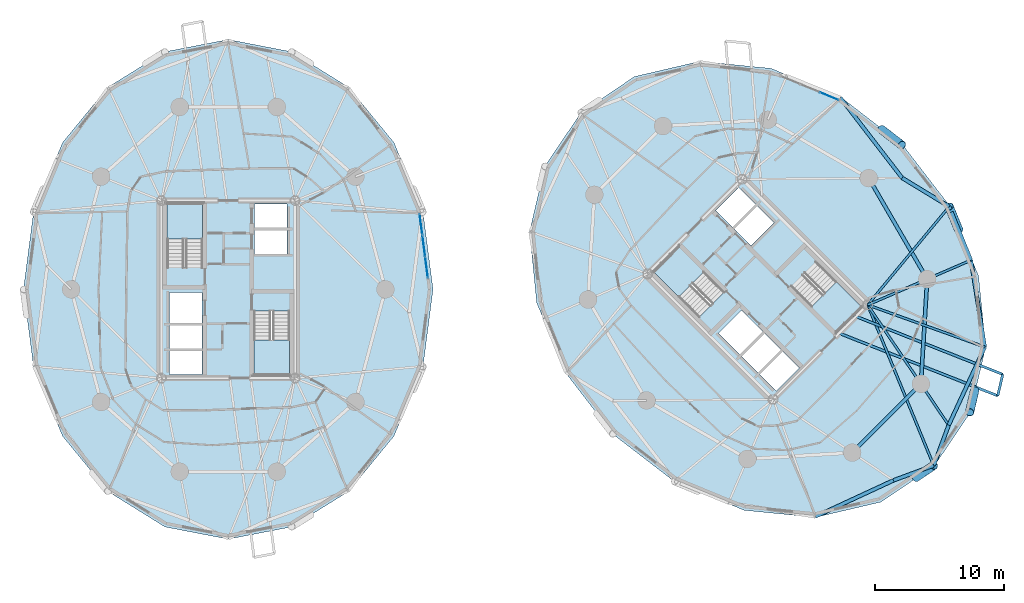
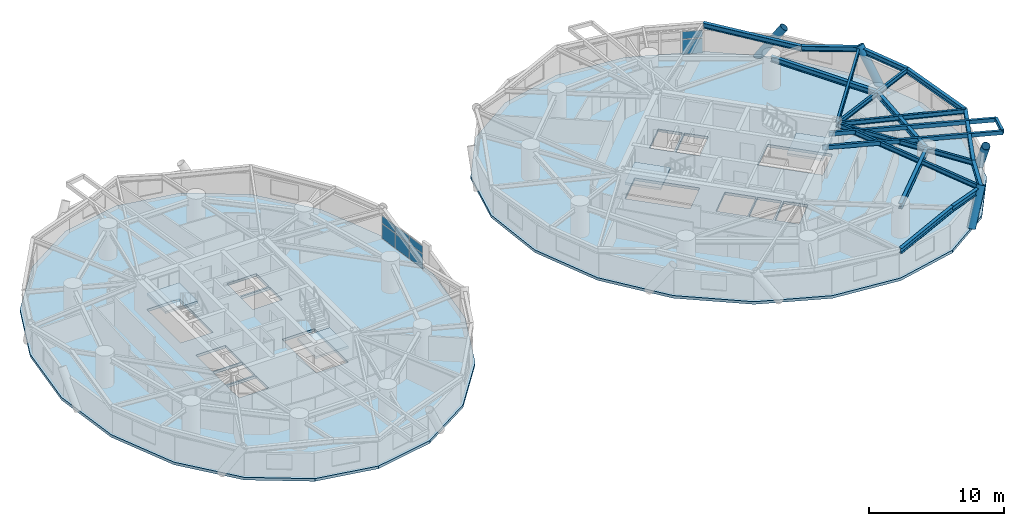
# One storey, part 8 of 17: 19 beams, 8 plates, 6 slabs, 4 members, 6 elements without a shape of their own.
"""IFC4 building model written with IfcOpenShell, lengths in metres."""

from ifc_helpers import new_model, si_unit, direction, frame, origin, origin_2d, place, context, subcontext, project, spatial, polyline, rectangle, hollow_rectangle, hollow_circle, i_section, outline, extrude, source, transform, mapped, material, layer, layer_set, material_profile, profile_set, type_object, element, aggregate, save


model = new_model("IFC4")

# Units and contexts
model_context = context("Model", 3, precision=1e-05, world=origin(), true_north=direction((0.0, 1.0)))
body_context = subcontext(model_context, "Body", "Model", "MODEL_VIEW")
ifc_project = project(units=[si_unit("LENGTHUNIT", "METRE"), si_unit("AREAUNIT", "SQUARE_METRE"), si_unit("VOLUMEUNIT", "CUBIC_METRE"), si_unit("PLANEANGLEUNIT", "RADIAN"), si_unit("MASSUNIT", "GRAM", prefix="KILO")], contexts=[model_context])

# Site, building, storey
site_placement = place(None, origin())
site = spatial("IfcSite", under=ifc_project, at=site_placement, CompositionType="ELEMENT")
building_placement = place(site_placement, origin())
building = spatial("IfcBuilding", under=site, at=building_placement, Name="Cununo Teusaquillo Station Towers", CompositionType="ELEMENT")
storey_placement = place(building_placement, frame((0.0, 0.0, 107.97998046875)))
storey = spatial("IfcBuildingStorey", under=building, at=storey_placement, Name="L34", CompositionType="ELEMENT", Elevation=107.97998046875)

# Beams
ifc_material_1 = material(Name="Steel EN 10025-2 S355J2", Category="steel")
ifc_material_profile_1 = material_profile(ifc_material_1, hollow_rectangle(XDim=0.199951171875, YDim=0.35009765625, WallThickness=0.013916015625, at=origin_2d()), Name="RHS 350x200x14")
ifc_profile_set_1 = profile_set([ifc_material_profile_1], Name="Steel EN 10025-2 S355J2")
beam_type_1 = type_object("IfcBeamType", Name="BM-BAL-CANT", PredefinedType="BEAM", material=ifc_profile_set_1)
beam_1_placement = place(storey_placement, frame((63.593505859375, 21.188720703125, 2.4951171875), z_axis=(0.930217566196, -0.367008555132, 0.0), x_axis=(0.367008555132, 0.930217566196, 0.0)))
element("IfcBeam", 1, at=beam_1_placement, inside=storey, type_object=beam_type_1, Name="L34 Tower B Balcony Cantilever Bracket 2A", PredefinedType="BEAM", context=body_context, shape_type="SweptSolid", body=[
    extrude(hollow_rectangle(XDim=0.199951171875, YDim=0.35009765625, WallThickness=0.013916015625, at=origin_2d()), origin(), (0.0, 0.0, 1.0), 13.44140625),
])
beam_2_placement = place(storey_placement, frame((64.894287109375, 22.48974609375, 2.4951171875), z_axis=(0.930220364523, -0.367001462432, 0.0), x_axis=(0.367001462432, 0.930220364523, 0.0)))
element("IfcBeam", 2, at=beam_2_placement, inside=storey, type_object=beam_type_1, Name="L34 Tower B Balcony Cantilever Bracket 2B", PredefinedType="BEAM", context=body_context, shape_type="SweptSolid", body=[
    extrude(hollow_rectangle(XDim=0.199951171875, YDim=0.35009765625, WallThickness=0.013916015625, at=origin_2d()), origin(), (0.0, 0.0, 1.0), 12.459716796875),
])
ifc_material_2 = material(Name="Steel ASTM A572 Grade 50", Category="steel")
ifc_material_profile_2 = material_profile(ifc_material_2, i_section(OverallWidth=0.180908203125, OverallDepth=0.4169921875, WebThickness=0.010986328125, FlangeThickness=0.018310546875, FilletRadius=0.012939453125, at=origin_2d()), Name="W16X57")
ifc_profile_set_2 = profile_set([ifc_material_profile_2], Name="Steel ASTM A572 Grade 50")
beam_type_2 = type_object("IfcBeamType", Name="BM-JOIST-1", PredefinedType="JOIST", material=ifc_profile_set_2)
beam_3_placement = place(storey_placement, frame((66.024169921875, 23.29443359375, 2.46142578125), z_axis=(0.380485864505, -0.924786735908, 0.0), x_axis=(0.924786735908, 0.380485864505, 0.0)))
element("IfcBeam", 3, at=beam_3_placement, inside=storey, type_object=beam_type_2, Name="L34 Tower B Radial Spandrel Joist V15", PredefinedType="JOIST", context=body_context, shape_type="SweptSolid", body=[
    extrude(i_section(OverallWidth=0.180908203125, OverallDepth=0.4169921875, WebThickness=0.010986328125, FlangeThickness=0.018310546875, FilletRadius=0.012939453125, at=origin_2d()), origin(), (0.0, 0.0, 1.0), 13.44580078125),
])
beam_4_placement = place(storey_placement, frame((66.024169921875, 23.29443359375, 2.46142578125), z_axis=(0.941082771055, -0.338176312038, 0.0), x_axis=(0.338176312038, 0.941082771055, 0.0)))
element("IfcBeam", 4, at=beam_4_placement, inside=storey, type_object=beam_type_2, Name="L34 Tower B Radial Spandrel Joist V17", PredefinedType="JOIST", context=body_context, shape_type="SweptSolid", body=[
    extrude(i_section(OverallWidth=0.180908203125, OverallDepth=0.4169921875, WebThickness=0.010986328125, FlangeThickness=0.018310546875, FilletRadius=0.012939453125, at=origin_2d()), origin(), (0.0, 0.0, 1.0), 9.646484375),
])
beam_5_placement = place(storey_placement, frame((66.024169921875, 23.29443359375, 2.46142578125), z_axis=(0.638372238196, 0.769727799615, 0.0), x_axis=(-0.769727799615, 0.638372238196, 0.0)))
element("IfcBeam", 5, at=beam_5_placement, inside=storey, type_object=beam_type_2, Name="L34 Tower B Radial Spandrel Joist V19", PredefinedType="JOIST", context=body_context, shape_type="SweptSolid", body=[
    extrude(i_section(OverallWidth=0.180908203125, OverallDepth=0.4169921875, WebThickness=0.010986328125, FlangeThickness=0.018310546875, FilletRadius=0.012939453125, at=origin_2d()), origin(), (0.0, 0.0, 1.0), 9.895263671875),
])
ifc_material_3 = material(Name="Steel ASTM A572 Grade 50", Category="steel")
ifc_material_profile_3 = material_profile(ifc_material_3, i_section(OverallWidth=0.180908203125, OverallDepth=0.4169921875, WebThickness=0.010986328125, FlangeThickness=0.018310546875, FilletRadius=0.012939453125, at=origin_2d()), Name="W16X57")
ifc_profile_set_3 = profile_set([ifc_material_profile_3], Name="Steel ASTM A572 Grade 50")
beam_type_3 = type_object("IfcBeamType", Name="BM-RAD-G2", PredefinedType="BEAM", material=ifc_profile_set_3)
beam_6_placement = place(storey_placement, frame((66.024169921875, 23.29443359375, 2.46142578125), z_axis=(0.558572297481, -0.82945583878, 0.0), x_axis=(0.82945583878, 0.558572297481, 0.0)))
element("IfcBeam", 6, at=beam_6_placement, inside=storey, type_object=beam_type_3, Name="L34 Tower B Continuous Overhanging Radial Girder 09", PredefinedType="BEAM", context=body_context, shape_type="SweptSolid", body=[
    extrude(i_section(OverallWidth=0.180908203125, OverallDepth=0.4169921875, WebThickness=0.010986328125, FlangeThickness=0.018310546875, FilletRadius=0.012939453125, at=origin_2d()), origin(), (0.0, 0.0, 1.0), 11.22998046875),
])
beam_7_placement = place(storey_placement, frame((66.024169921875, 23.29443359375, 2.46142578125), z_axis=(0.917654733344, 0.397378648609, 0.0), x_axis=(-0.397378648609, 0.917654733344, 0.0)))
element("IfcBeam", 7, at=beam_7_placement, inside=storey, type_object=beam_type_3, Name="L34 Tower B Continuous Overhanging Radial Girder 10", PredefinedType="BEAM", context=body_context, shape_type="SweptSolid", body=[
    extrude(i_section(OverallWidth=0.180908203125, OverallDepth=0.4169921875, WebThickness=0.010986328125, FlangeThickness=0.018310546875, FilletRadius=0.012939453125, at=origin_2d()), origin(), (0.0, 0.0, 1.0), 8.71484375),
])
ifc_material_4 = material(Name="Steel ASTM A572 Grade 50", Category="steel")
ifc_material_profile_4 = material_profile(ifc_material_4, i_section(OverallWidth=0.280029296875, OverallDepth=0.462890625, WebThickness=0.0107421875, FlangeThickness=0.017333984375, FilletRadius=0.013916015625, at=origin_2d()), Name="W18X76")
ifc_profile_set_4 = profile_set([ifc_material_profile_4], Name="Steel ASTM A572 Grade 50")
beam_type_4 = type_object("IfcBeamType", Name="BM-RING-Z2", PredefinedType="SPANDREL", material=ifc_profile_set_4)
beam_8_placement = place(storey_placement, frame((64.826904296875, 11.853759765625, 2.4384765625), z_axis=(0.707106781187, 0.707106781187, 0.0), x_axis=(-0.707106781187, 0.707106781187, 0.0)))
element("IfcBeam", 8, at=beam_8_placement, inside=storey, type_object=beam_type_4, Name="L34 Tower B Structural Column Ring Girder 08", PredefinedType="SPANDREL", context=body_context, shape_type="SweptSolid", body=[
    extrude(i_section(OverallWidth=0.280029296875, OverallDepth=0.462890625, WebThickness=0.0107421875, FlangeThickness=0.017333984375, FilletRadius=0.013916015625, at=origin_2d()), origin(), (0.0, 0.0, 1.0), 7.522705078125),
])
beam_9_placement = place(storey_placement, frame((70.146240234375, 17.173095703125, 2.4384765625), z_axis=(0.06012979176, 0.998190567048, 0.0), x_axis=(-0.998190567048, 0.06012979176, 0.0)))
element("IfcBeam", 9, at=beam_9_placement, inside=storey, type_object=beam_type_4, Name="L34 Tower B Structural Column Ring Girder 09", PredefinedType="SPANDREL", context=body_context, shape_type="SweptSolid", body=[
    extrude(i_section(OverallWidth=0.280029296875, OverallDepth=0.462890625, WebThickness=0.0107421875, FlangeThickness=0.017333984375, FilletRadius=0.013916015625, at=origin_2d()), origin(), (0.0, 0.0, 1.0), 8.132568359375),
])
beam_10_placement = place(storey_placement, frame((70.63525390625, 25.291015625, 2.4384765625), z_axis=(-0.501311121078, 0.865267103202, 0.0), x_axis=(-0.865267103202, -0.501311121078, 0.0)))
element("IfcBeam", 10, at=beam_10_placement, inside=storey, type_object=beam_type_4, Name="L34 Tower B Structural Column Ring Girder 10", PredefinedType="SPANDREL", context=body_context, shape_type="SweptSolid", body=[
    extrude(i_section(OverallWidth=0.280029296875, OverallDepth=0.462890625, WebThickness=0.0107421875, FlangeThickness=0.017333984375, FilletRadius=0.013916015625, at=origin_2d()), origin(), (0.0, 0.0, 1.0), 9.032958984375),
])
beam_11_placement = place(storey_placement, frame((68.694580078125, 33.12890625, 2.4384765625), z_axis=(-0.610100441726, 0.792324082056, 0.0), x_axis=(-0.792324082056, -0.610100441726, 0.0)))
element("IfcBeam", 11, at=beam_11_placement, inside=storey, type_object=beam_type_4, Name="L34 Tower B Spandrel Ring Beam 01", PredefinedType="SPANDREL", context=body_context, shape_type="SweptSolid", body=[
    extrude(i_section(OverallWidth=0.280029296875, OverallDepth=0.462890625, WebThickness=0.0107421875, FlangeThickness=0.017333984375, FilletRadius=0.013916015625, at=origin_2d()), origin(), (0.0, 0.0, 1.0), 7.84033203125),
])
beam_12_placement = place(storey_placement, frame((61.9677734375, 6.897705078125, 2.4384765625), z_axis=(0.907275870354, 0.420535961689, 0.0), x_axis=(-0.420535961689, 0.907275870354, 0.0)))
element("IfcBeam", 12, at=beam_12_placement, inside=storey, type_object=beam_type_4, Name="L34 Tower B Spandrel Ring Beam 14", PredefinedType="SPANDREL", context=body_context, shape_type="SweptSolid", body=[
    extrude(i_section(OverallWidth=0.280029296875, OverallDepth=0.462890625, WebThickness=0.0107421875, FlangeThickness=0.017333984375, FilletRadius=0.013916015625, at=origin_2d()), origin(), (0.0, 0.0, 1.0), 6.671142578125),
])
for number, where, z_axis, x_axis, name in (
    (13, (68.020263671875, 9.703125, 2.4384765625), (0.937628334414, 0.347639333943, 0.0), (-0.347639333943, 0.937628334414, 0.0), "L34 Tower B Spandrel Ring Beam 15"),
    (14, (71.14013671875, 10.85986328125, 2.4384765625), (0.347639333943, 0.937628334414, 0.0), (-0.937628334414, 0.347639333943, 0.0), "L34 Tower B Spandrel Ring Beam 16"),
):
    element("IfcBeam", number, at=place(storey_placement, frame(where, z_axis=z_axis, x_axis=x_axis)), inside=storey, type_object=beam_type_4, Name=name, PredefinedType="SPANDREL", context=body_context, shape_type="SweptSolid", body=[
        extrude(i_section(OverallWidth=0.280029296875, OverallDepth=0.462890625, WebThickness=0.0107421875, FlangeThickness=0.017333984375, FilletRadius=0.013916015625, at=origin_2d()), origin(), (0.0, 0.0, 1.0), 3.327392578125),
    ])
beam_13_placement = place(storey_placement, frame((72.296875, 13.979736328125, 2.4384765625), z_axis=(0.420535961689, 0.907275870354, 0.0), x_axis=(-0.907275870354, 0.420535961689, 0.0)))
element("IfcBeam", 15, at=beam_13_placement, inside=storey, type_object=beam_type_4, Name="L34 Tower B Spandrel Ring Beam 17", PredefinedType="SPANDREL", context=body_context, shape_type="SweptSolid", body=[
    extrude(i_section(OverallWidth=0.280029296875, OverallDepth=0.462890625, WebThickness=0.0107421875, FlangeThickness=0.017333984375, FilletRadius=0.013916015625, at=origin_2d()), origin(), (0.0, 0.0, 1.0), 6.671142578125),
])
beam_14_placement = place(storey_placement, frame((75.102294921875, 20.0322265625, 2.4384765625), z_axis=(-0.158671232312, 0.987331474246, 0.0), x_axis=(-0.987331474246, -0.158671232312, 0.0)))
element("IfcBeam", 16, at=beam_14_placement, inside=storey, type_object=beam_type_4, Name="L34 Tower B Spandrel Ring Beam 18", PredefinedType="SPANDREL", context=body_context, shape_type="SweptSolid", body=[
    extrude(i_section(OverallWidth=0.280029296875, OverallDepth=0.462890625, WebThickness=0.0107421875, FlangeThickness=0.017333984375, FilletRadius=0.013916015625, at=origin_2d()), origin(), (0.0, 0.0, 1.0), 6.8115234375),
])
beam_15_placement = place(storey_placement, frame((74.021484375, 26.757568359375, 2.4384765625), z_axis=(-0.375042266631, 0.927007712072, 0.0), x_axis=(-0.927007712072, -0.375042266631, 0.0)))
element("IfcBeam", 17, at=beam_15_placement, inside=storey, type_object=beam_type_4, Name="L34 Tower B Spandrel Ring Beam 19", PredefinedType="SPANDREL", context=body_context, shape_type="SweptSolid", body=[
    extrude(i_section(OverallWidth=0.280029296875, OverallDepth=0.462890625, WebThickness=0.0107421875, FlangeThickness=0.017333984375, FilletRadius=0.013916015625, at=origin_2d()), origin(), (0.0, 0.0, 1.0), 4.480712890625),
])
beam_16_placement = place(storey_placement, frame((72.341064453125, 30.9111328125, 2.4384765625), z_axis=(-0.854388492444, 0.519634779416, 0.0), x_axis=(-0.519634779416, -0.854388492444, 0.0)))
element("IfcBeam", 18, at=beam_16_placement, inside=storey, type_object=beam_type_4, Name="L34 Tower B Spandrel Ring Beam 20", PredefinedType="SPANDREL", context=body_context, shape_type="SweptSolid", body=[
    extrude(i_section(OverallWidth=0.280029296875, OverallDepth=0.462890625, WebThickness=0.0107421875, FlangeThickness=0.017333984375, FilletRadius=0.013916015625, at=origin_2d()), origin(), (0.0, 0.0, 1.0), 4.26806640625),
])
ifc_material_5 = material(Name="Steel EN 10025-2 S355J2", Category="steel")
ifc_material_profile_5 = material_profile(ifc_material_5, hollow_rectangle(XDim=0.199951171875, YDim=0.35009765625, WallThickness=0.013916015625, at=origin_2d()), Name="RHS 350x200x14")
ifc_profile_set_5 = profile_set([ifc_material_profile_5], Name="Steel EN 10025-2 S355J2")
beam_type_5 = type_object("IfcBeamType", Name="BM-STAIR-TRIM", PredefinedType="BEAM", material=ifc_profile_set_5)
beam_17_placement = place(storey_placement, frame((76.096923828125, 16.255615234375, 2.52490234375), z_axis=(0.22725223503, 0.973835931599, 0.0), x_axis=(-0.973835931599, 0.22725223503, 0.0)))
element("IfcBeam", 19, at=beam_17_placement, inside=storey, type_object=beam_type_5, Name="L34 Tower B Balcony Edge Trimmer Beam 2", PredefinedType="BEAM", context=body_context, shape_type="SweptSolid", body=[
    extrude(hollow_rectangle(XDim=0.199951171875, YDim=0.35009765625, WallThickness=0.013916015625, at=origin_2d()), origin(), (0.0, 0.0, 1.0), 1.7060546875),
])

# Members
ifc_material_6 = material(Name="Steel EN 10025-2 S355J2", Category="steel")
ifc_material_profile_6 = material_profile(ifc_material_6, hollow_circle(Radius=0.330078125, WallThickness=0.02490234375, at=origin_2d()), Name="CHS 660x25")
ifc_profile_set_6 = profile_set([ifc_material_profile_6], Name="Steel EN 10025-2 S355J2")
member_type = type_object("IfcMemberType", Name="MBR-DIAG-Z2", PredefinedType="BRACE", material=ifc_profile_set_6)
member_1_placement = place(storey_placement, frame((67.085693359375, 36.895751953125, -0.139892578125), z_axis=(0.449302990414, -0.34606419194, 0.823630012726), x_axis=(0.610205273886, 0.792243348803, 0.0)))
element("IfcMember", 20, at=member_1_placement, inside=storey, type_object=member_type, Name="L34 Tower B Folded-Zigzag Diagrid Tube C00", PredefinedType="BRACE", context=body_context, shape_type="SweptSolid", body=[
    extrude(hollow_circle(Radius=0.330078125, WallThickness=0.02490234375, at=origin_2d()), origin(), (0.0, 0.0, 1.0), 3.532958984375),
])
member_2_placement = place(storey_placement, frame((69.7666015625, 9.931396484375, -0.139892578125), z_axis=(0.410124934173, 0.277231625428, 0.868872927552), x_axis=(-0.560024081213, 0.828476329452, 0.0)))
element("IfcMember", 21, at=member_2_placement, inside=storey, type_object=member_type, Name="L34 Tower B Folded-Zigzag Diagrid Tube C14", PredefinedType="BRACE", context=body_context, shape_type="SweptSolid", body=[
    extrude(hollow_circle(Radius=0.330078125, WallThickness=0.02490234375, at=origin_2d()), origin(), (0.0, 0.0, 1.0), 3.34912109375),
])
member_3_placement = place(storey_placement, frame((74.317626953125, 16.664306640625, -0.139892578125), z_axis=(-0.115906612964, -0.49752571016, 0.859670765352), x_axis=(0.973920299704, -0.226890391653, 0.0)))
element("IfcMember", 22, at=member_3_placement, inside=storey, type_object=member_type, Name="L34 Tower B Folded-Zigzag Diagrid Tube C16", PredefinedType="BRACE", context=body_context, shape_type="SweptSolid", body=[
    extrude(hollow_circle(Radius=0.330078125, WallThickness=0.02490234375, at=origin_2d()), origin(), (0.0, 0.0, 1.0), 3.385009765625),
])
member_4_placement = place(storey_placement, frame((73.07958984375, 29.114501953125, -0.139892578125), z_axis=(-0.211085752623, 0.513514067291, 0.831712755543), x_axis=(-0.924906987989, -0.380193455452, 0.0)))
element("IfcMember", 23, at=member_4_placement, inside=storey, type_object=member_type, Name="L34 Tower B Folded-Zigzag Diagrid Tube C18", PredefinedType="BRACE", context=body_context, shape_type="SweptSolid", body=[
    extrude(hollow_circle(Radius=0.330078125, WallThickness=0.02490234375, at=origin_2d()), origin(), (0.0, 0.0, 1.0), 3.498779296875),
])

# Stair, slab
ifc_material_7 = material(Name="Concrete C50/60", Category="concrete")
stair_type = type_object("IfcStairType", Name="ST-TWR-1300", PredefinedType="HALF_TURN_STAIR", material=ifc_material_7)
stair_1_placement = place(storey_placement, origin())
stair_1 = element("IfcStair", 24, at=stair_1_placement, inside=storey, type_object=stair_type, Name="L34 Tower A Protected Core Exit Stair 1", PredefinedType="HALF_TURN_STAIR")
ifc_material_8 = material(Name="Concrete C50/60", Category="concrete")
ifc_layer_1 = layer(ifc_material_8, 0.199951171875)
ifc_layer_set_1 = layer_set([ifc_layer_1], Name="Concrete C50/60")
slab_type_1 = type_object("IfcSlabType", Name="SLB-STAIR-LND", PredefinedType="LANDING", material=ifc_layer_set_1)
slab_1_placement = place(storey_placement, frame((0.0, 0.0, 1.255126953125)))
slab_1 = element("IfcSlab", 25, at=slab_1_placement, type_object=slab_type_1, Name="ST-T1-1 landing 1", PredefinedType="LANDING", context=body_context, shape_type="SweptSolid", body=[
    extrude(outline(polyline([(14.52001953125, 28.409912109375), (14.52001953125, 31.159912109375), (11.760009765625, 31.159912109375), (11.760009765625, 28.409912109375), (14.52001953125, 28.409912109375)])), origin(), (0.0, 0.0, 1.0), 0.199951171875),
])
aggregate(stair_1, [slab_1])

stair_2_placement = place(storey_placement, origin())
stair_2 = element("IfcStair", 26, at=stair_2_placement, inside=storey, type_object=stair_type, Name="L34 Tower A Protected Core Exit Stair 2", PredefinedType="HALF_TURN_STAIR")
slab_2_placement = place(storey_placement, frame((0.0, 0.0, 1.255126953125)))
slab_2 = element("IfcSlab", 27, at=slab_2_placement, type_object=slab_type_1, Name="ST-T1-2 landing 1", PredefinedType="LANDING", context=body_context, shape_type="SweptSolid", body=[
    extrude(outline(polyline([(18.47998046875, 20.590087890625), (18.47998046875, 17.840087890625), (21.239990234375, 17.840087890625), (21.239990234375, 20.590087890625), (18.47998046875, 20.590087890625)])), origin(), (0.0, 0.0, 1.0), 0.199951171875),
])
aggregate(stair_2, [slab_2])

stair_3_placement = place(storey_placement, origin())
stair_3 = element("IfcStair", 28, at=stair_3_placement, inside=storey, type_object=stair_type, Name="L34 Tower B Protected Core Exit Stair 1", PredefinedType="HALF_TURN_STAIR")
slab_3_placement = place(storey_placement, frame((0.0, 0.0, 1.255126953125)))
slab_3 = element("IfcSlab", 29, at=slab_3_placement, type_object=slab_type_1, Name="ST-T2-1 landing 1", PredefinedType="LANDING", context=body_context, shape_type="SweptSolid", body=[
    extrude(outline(polyline([(53.335205078125, 25.86474609375), (51.390625, 27.809326171875), (49.43896484375, 25.857666015625), (51.383544921875, 23.9130859375), (53.335205078125, 25.86474609375)])), origin(), (0.0, 0.0, 1.0), 0.199951171875),
])
aggregate(stair_3, [slab_3])

stair_4_placement = place(storey_placement, origin())
stair_4 = element("IfcStair", 30, at=stair_4_placement, inside=storey, type_object=stair_type, Name="L34 Tower B Protected Core Exit Stair 2", PredefinedType="HALF_TURN_STAIR")
slab_4_placement = place(storey_placement, frame((0.0, 0.0, 1.255126953125)))
slab_4 = element("IfcSlab", 31, at=slab_4_placement, type_object=slab_type_1, Name="ST-T2-2 landing 1", PredefinedType="LANDING", context=body_context, shape_type="SweptSolid", body=[
    extrude(outline(polyline([(61.664794921875, 23.13525390625), (63.609375, 21.190673828125), (65.56103515625, 23.142333984375), (63.616455078125, 25.0869140625), (61.664794921875, 23.13525390625)])), origin(), (0.0, 0.0, 1.0), 0.199951171875),
])
aggregate(stair_4, [slab_4])

# Slabs
ifc_material_9 = material(Name="Concrete C40/50", Category="concrete")
ifc_layer_2 = layer(ifc_material_9, 0.239990234375)
ifc_layer_set_2 = layer_set([ifc_layer_2], Name="Concrete C40/50")
slab_type_2 = type_object("IfcSlabType", Name="SLB-Z2-240", PredefinedType="FLOOR", material=ifc_layer_set_2)
slab_5_placement = place(storey_placement, frame((0.0, 0.0, -0.239990234375)))
element("IfcSlab", 32, at=slab_5_placement, inside=storey, type_object=slab_type_2, Name="L34 Tower A Floor Slab", PredefinedType="FLOOR", context=body_context, shape_type="SweptSolid", body=[
    extrude(outline(polyline([(32.361083984375, 24.5), (31.584716796875, 30.4794921875), (29.331787109375, 35.87353515625), (25.822998046875, 40.154541015625), (21.4013671875, 42.90283203125), (16.5, 43.85009765625), (11.5986328125, 42.90283203125), (7.177001953125, 40.154541015625), (3.668212890625, 35.87353515625), (1.415283203125, 30.4794921875), (0.638916015625, 24.5), (1.415283203125, 18.5205078125), (3.668212890625, 13.12646484375), (7.177001953125, 8.845458984375), (11.5986328125, 6.09716796875), (16.5, 5.14990234375), (21.4013671875, 6.09716796875), (25.822998046875, 8.845458984375), (29.331787109375, 13.12646484375), (31.584716796875, 18.5205078125), (32.361083984375, 24.5)]), holes=[polyline([(14.52001953125, 26.176025390625), (14.52001953125, 31.159912109375), (11.760009765625, 31.159912109375), (11.760009765625, 26.176025390625), (14.52001953125, 26.176025390625)]), polyline([(18.47998046875, 22.823974609375), (18.47998046875, 17.840087890625), (21.239990234375, 17.840087890625), (21.239990234375, 22.823974609375), (18.47998046875, 22.823974609375)]), polyline([(11.949951171875, 21.85009765625), (14.47998046875, 21.85009765625), (14.47998046875, 24.25), (11.949951171875, 24.25), (11.949951171875, 21.85009765625)]), polyline([(11.949951171875, 17.89990234375), (14.47998046875, 17.89990234375), (14.47998046875, 19.75), (11.949951171875, 19.75), (11.949951171875, 17.89990234375)]), polyline([(11.949951171875, 19.89990234375), (14.47998046875, 19.89990234375), (14.47998046875, 21.75), (11.949951171875, 21.75), (11.949951171875, 19.89990234375)]), polyline([(18.52001953125, 27.25), (21.050048828125, 27.25), (21.050048828125, 29.10009765625), (18.52001953125, 29.10009765625), (18.52001953125, 27.25)]), polyline([(18.52001953125, 29.25), (21.050048828125, 29.25), (21.050048828125, 31.10009765625), (18.52001953125, 31.10009765625), (18.52001953125, 29.25)])]), origin(), (0.0, 0.0, 1.0), 0.239990234375),
])
slab_6_placement = place(storey_placement, frame((0.0, 0.0, -0.239990234375)))
element("IfcSlab", 33, at=slab_6_placement, inside=storey, type_object=slab_type_2, Name="L34 Tower B Floor Slab", PredefinedType="FLOOR", context=body_context, shape_type="SweptSolid", body=[
    extrude(outline(polyline([(68.71533203125, 35.71533203125), (63.938232421875, 39.39453125), (58.531005859375, 41.61572265625), (53.02294921875, 42.16162109375), (47.952880859375, 40.978515625), (43.8173828125, 38.1826171875), (41.021484375, 34.047119140625), (39.83837890625, 28.97705078125), (40.38427734375, 23.468994140625), (42.60546875, 18.061767578125), (46.28466796875, 13.28466796875), (51.061767578125, 9.60546875), (56.468994140625, 7.38427734375), (61.97705078125, 6.83837890625), (67.047119140625, 8.021484375), (71.1826171875, 10.8173828125), (73.978515625, 14.952880859375), (75.16162109375, 20.02294921875), (74.61572265625, 25.531005859375), (72.39453125, 30.938232421875), (68.71533203125, 35.71533203125)]), holes=[polyline([(54.914794921875, 24.28515625), (51.390625, 27.809326171875), (49.43896484375, 25.857666015625), (52.963134765625, 22.33349609375), (54.914794921875, 24.28515625)]), polyline([(60.085205078125, 24.71484375), (63.609375, 21.190673828125), (65.56103515625, 23.142333984375), (62.036865234375, 26.66650390625), (60.085205078125, 24.71484375)]), polyline([(56.156494140625, 19.40869140625), (57.945556640625, 21.19775390625), (56.248291015625, 22.89501953125), (54.45947265625, 21.10595703125), (56.156494140625, 19.40869140625)]), polyline([(58.94970703125, 16.61572265625), (60.738525390625, 18.40478515625), (59.430419921875, 19.712890625), (57.641357421875, 17.923828125), (58.94970703125, 16.61572265625)]), polyline([(57.535400390625, 18.030029296875), (59.32421875, 19.819091796875), (58.01611328125, 21.127197265625), (56.227294921875, 19.338134765625), (57.535400390625, 18.030029296875)]), polyline([(56.98388671875, 27.872802734375), (58.772705078125, 29.661865234375), (57.464599609375, 30.969970703125), (55.67578125, 29.180908203125), (56.98388671875, 27.872802734375)]), polyline([(55.569580078125, 29.287109375), (57.358642578125, 31.076171875), (56.05029296875, 32.38427734375), (54.261474609375, 30.59521484375), (55.569580078125, 29.287109375)])]), origin(), (0.0, 0.0, 1.0), 0.239990234375),
])

# Curtain wall, plates
ifc_material_10 = material(Name="Ceramic-fritted dark low-E double glazing", Category="glass")
ifc_layer_3 = layer(ifc_material_10, 0.179931640625)
ifc_layer_set_3 = layer_set([ifc_layer_3], Name="Ceramic-fritted dark low-E double glazing")
curtain_wall_type = type_object("IfcCurtainWallType", Name="CW-SYS-04", PredefinedType="USERDEFINED", material=ifc_layer_set_3)
curtain_wall_1_placement = place(storey_placement, origin())
curtain_wall_1 = element("IfcCurtainWall", 34, at=curtain_wall_1_placement, inside=storey, type_object=curtain_wall_type, Name="L34 Tower A Facade Curtain Wall C00", ObjectType="FRITTED GLAZING", PredefinedType="USERDEFINED")
ifc_material_11 = material(Name="Ceramic-fritted dark low-E double glazing", Category="glass")
ifc_layer_4 = layer(ifc_material_11, 0.028076171875)
ifc_layer_set_4 = layer_set([ifc_layer_4], Name="Ceramic-fritted dark low-E double glazing")
plate_type = type_object("IfcPlateType", Name="CWP-FRIT-28", PredefinedType="CURTAIN_PANEL", material=ifc_layer_set_4)
shared_shape_1 = source(origin(), body_context, "Body", "SweptSolid", [
    extrude(rectangle(XDim=1.59228515625, YDim=0.028076171875, at=origin_2d()), origin(), (0.0, 0.0, 1.0), 1.31103515625),
])
plate_1_placement = place(storey_placement, frame((31.429443359375, 29.533935546875, 0.070068359375), z_axis=(0.0, 0.0, 1.0), x_axis=(0.128335852387, -0.991730764367, 0.0)))
plate_1 = element("IfcPlate", 35, at=plate_1_placement, type_object=plate_type, Name="CW-04 panel 1.1", PredefinedType="CURTAIN_PANEL", context=body_context, shape_type="MappedRepresentation", body=[
    mapped(shared_shape_1, transform((0.0, 0.0, 0.0), x_axis=(1.0, 0.0, 0.0), y_axis=(0.0, 1.0, 0.0), z_axis=(0.0, 0.0, 1.0), scale=1.0)),
])
plate_2_placement = place(storey_placement, frame((31.86083984375, 26.201904296875, 0.070068359375), z_axis=(0.0, 0.0, 1.0), x_axis=(0.128335852387, -0.991730764367, 0.0)))
plate_2 = element("IfcPlate", 36, at=plate_2_placement, type_object=plate_type, Name="CW-04 panel 3.1", PredefinedType="CURTAIN_PANEL", context=body_context, shape_type="MappedRepresentation", body=[
    mapped(shared_shape_1, transform((0.0, 0.0, 0.0), x_axis=(1.0, 0.0, 0.0), y_axis=(0.0, 1.0, 0.0), z_axis=(0.0, 0.0, 1.0), scale=1.0)),
])
shared_shape_2 = source(origin(), body_context, "Body", "SweptSolid", [
    extrude(rectangle(XDim=1.59228515625, YDim=0.028076171875, at=origin_2d()), origin(), (0.0, 0.0, 1.0), 0.657958984375),
])
plate_3_placement = place(storey_placement, frame((31.429443359375, 29.533935546875, 1.451171875), z_axis=(0.0, 0.0, 1.0), x_axis=(0.128335852387, -0.991730764367, 0.0)))
plate_3 = element("IfcPlate", 37, at=plate_3_placement, type_object=plate_type, Name="CW-04 panel 1.2", PredefinedType="CURTAIN_PANEL", context=body_context, shape_type="MappedRepresentation", body=[
    mapped(shared_shape_2, transform((0.0, 0.0, 0.0), x_axis=(1.0, 0.0, 0.0), y_axis=(0.0, 1.0, 0.0), z_axis=(0.0, 0.0, 1.0), scale=1.0)),
])
plate_4_placement = place(storey_placement, frame((31.86083984375, 26.201904296875, 1.451171875), z_axis=(0.0, 0.0, 1.0), x_axis=(0.128335852387, -0.991730764367, 0.0)))
plate_4 = element("IfcPlate", 38, at=plate_4_placement, type_object=plate_type, Name="CW-04 panel 3.2", PredefinedType="CURTAIN_PANEL", context=body_context, shape_type="MappedRepresentation", body=[
    mapped(shared_shape_2, transform((0.0, 0.0, 0.0), x_axis=(1.0, 0.0, 0.0), y_axis=(0.0, 1.0, 0.0), z_axis=(0.0, 0.0, 1.0), scale=1.0)),
])
shared_shape_3 = source(origin(), body_context, "Body", "SweptSolid", [
    extrude(rectangle(XDim=1.62744140625, YDim=0.028076171875, at=origin_2d()), origin(), (0.0, 0.0, 1.0), 1.31103515625),
])
plate_5_placement = place(storey_placement, frame((31.645263671875, 27.867919921875, 0.070068359375), z_axis=(0.0, 0.0, 1.0), x_axis=(0.128335852387, -0.991730764367, 0.0)))
plate_5 = element("IfcPlate", 39, at=plate_5_placement, type_object=plate_type, Name="CW-04 panel 2.1", PredefinedType="CURTAIN_PANEL", context=body_context, shape_type="MappedRepresentation", body=[
    mapped(shared_shape_3, transform((0.0, 0.0, 0.0), x_axis=(1.0, 0.0, 0.0), y_axis=(0.0, 1.0, 0.0), z_axis=(0.0, 0.0, 1.0), scale=1.0)),
])
shared_shape_4 = source(origin(), body_context, "Body", "SweptSolid", [
    extrude(rectangle(XDim=1.62744140625, YDim=0.028076171875, at=origin_2d()), origin(), (0.0, 0.0, 1.0), 0.657958984375),
])
plate_6_placement = place(storey_placement, frame((31.645263671875, 27.867919921875, 1.451171875), z_axis=(0.0, 0.0, 1.0), x_axis=(0.128335852387, -0.991730764367, 0.0)))
plate_6 = element("IfcPlate", 40, at=plate_6_placement, type_object=plate_type, Name="CW-04 panel 2.2", PredefinedType="CURTAIN_PANEL", context=body_context, shape_type="MappedRepresentation", body=[
    mapped(shared_shape_4, transform((0.0, 0.0, 0.0), x_axis=(1.0, 0.0, 0.0), y_axis=(0.0, 1.0, 0.0), z_axis=(0.0, 0.0, 1.0), scale=1.0)),
])
aggregate(curtain_wall_1, [plate_1, plate_3, plate_5, plate_6, plate_2, plate_4])

curtain_wall_2_placement = place(storey_placement, origin())
curtain_wall_2 = element("IfcCurtainWall", 41, at=curtain_wall_2_placement, inside=storey, type_object=curtain_wall_type, Name="L34 Tower B Facade Curtain Wall C01", ObjectType="FRITTED GLAZING", PredefinedType="USERDEFINED")
shared_shape_5 = source(origin(), body_context, "Body", "SweptSolid", [
    extrude(rectangle(XDim=1.531005859375, YDim=0.028076171875, at=origin_2d()), origin(), (0.0, 0.0, 1.0), 1.31103515625),
])
plate_7_placement = place(storey_placement, frame((63.03857421875, 39.463623046875, 0.070068359375), z_axis=(0.0, 0.0, 1.0), x_axis=(0.924562443652, -0.381030560176, 0.0)))
plate_7 = element("IfcPlate", 42, at=plate_7_placement, type_object=plate_type, Name="CW-04 panel 3.1", PredefinedType="CURTAIN_PANEL", context=body_context, shape_type="MappedRepresentation", body=[
    mapped(shared_shape_5, transform((0.0, 0.0, 0.0), x_axis=(1.0, 0.0, 0.0), y_axis=(0.0, 1.0, 0.0), z_axis=(0.0, 0.0, 1.0), scale=1.0)),
])
shared_shape_6 = source(origin(), body_context, "Body", "SweptSolid", [
    extrude(rectangle(XDim=1.531005859375, YDim=0.028076171875, at=origin_2d()), origin(), (0.0, 0.0, 1.0), 0.657958984375),
])
plate_8_placement = place(storey_placement, frame((63.03857421875, 39.463623046875, 1.451171875), z_axis=(0.0, 0.0, 1.0), x_axis=(0.924562443652, -0.381030560176, 0.0)))
plate_8 = element("IfcPlate", 43, at=plate_8_placement, type_object=plate_type, Name="CW-04 panel 3.2", PredefinedType="CURTAIN_PANEL", context=body_context, shape_type="MappedRepresentation", body=[
    mapped(shared_shape_6, transform((0.0, 0.0, 0.0), x_axis=(1.0, 0.0, 0.0), y_axis=(0.0, 1.0, 0.0), z_axis=(0.0, 0.0, 1.0), scale=1.0)),
])
aggregate(curtain_wall_2, [plate_7, plate_8])

save(model, "model.ifc")
